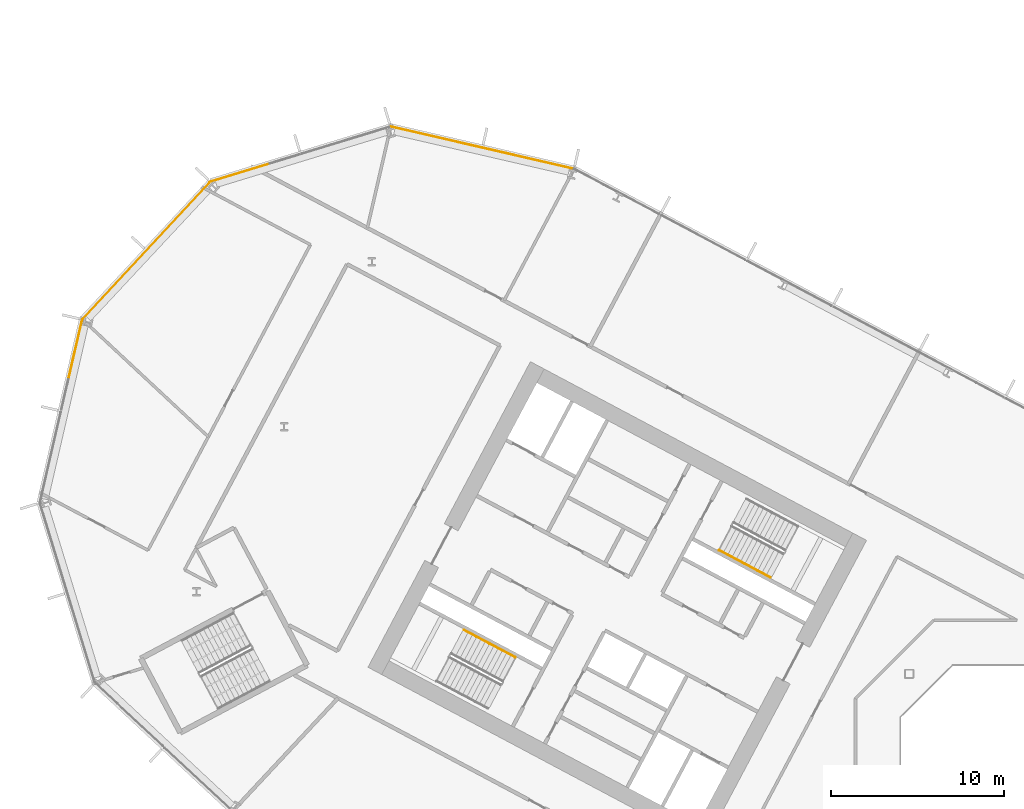
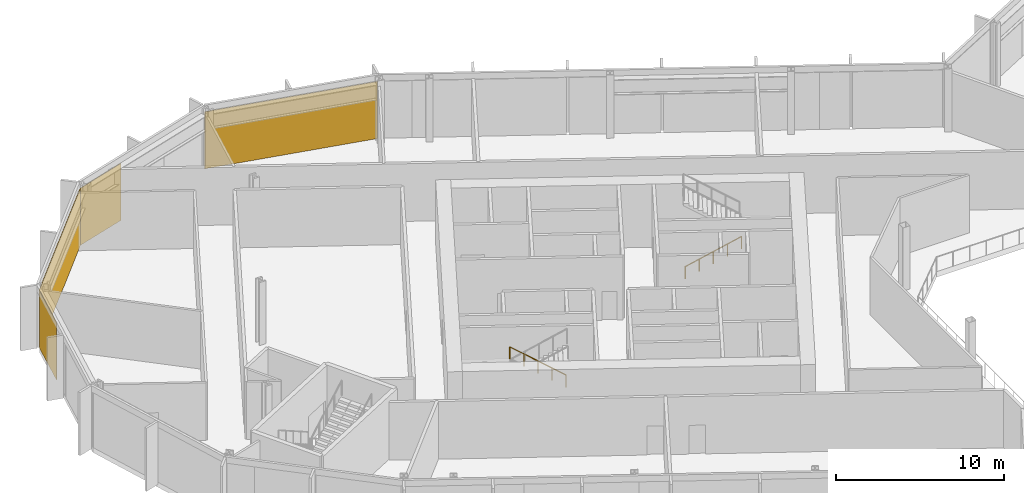
# One storey, part 24 of 32: 4 coverings, 2 railings, 4 elements without a shape of their own.
"""IFC4 building model written with IfcOpenShell, lengths in metres."""

from ifc_helpers import new_model, si_unit, direction, frame, origin, origin_2d, place, context, subcontext, project, spatial, polyline, rectangle, outline, extrude, material, layer, layer_set, type_object, element, aggregate, save


model = new_model("IFC4")

# Units and contexts
model_context = context("Model", 3, precision=1e-05, world=origin(), true_north=direction((0.0, 1.0)))
body_context = subcontext(model_context, "Body", "Model", "MODEL_VIEW")
ifc_project = project(units=[si_unit("LENGTHUNIT", "METRE"), si_unit("AREAUNIT", "SQUARE_METRE"), si_unit("VOLUMEUNIT", "CUBIC_METRE"), si_unit("PLANEANGLEUNIT", "RADIAN"), si_unit("MASSUNIT", "GRAM", prefix="KILO")], contexts=[model_context])

# Site, building, storey
site_placement = place(None, origin())
site = spatial("IfcSite", under=ifc_project, at=site_placement, CompositionType="ELEMENT")
building_placement = place(site_placement, origin())
building = spatial("IfcBuilding", under=site, at=building_placement, Name="Cormorant Relay Tower", CompositionType="ELEMENT")
storey_placement = place(building_placement, frame((0.0, 0.0, 70.800048828125)))
storey = spatial("IfcBuildingStorey", under=building, at=storey_placement, Name="L13", CompositionType="ELEMENT", Elevation=70.800048828125)

# Curtain wall, covering
ifc_material_1 = material(Name="Aluminium 6063-T6 anodised bronze", Category="aluminium")
ifc_layer_1 = layer(ifc_material_1, 0.199951171875)
ifc_layer_set_1 = layer_set([ifc_layer_1], Name="CW1 unitised bronze curtain wall with vertical fins")
curtain_wall_type = type_object("IfcCurtainWallType", Name="CW1 unitised bronze curtain wall with vertical fins", PredefinedType="NOTDEFINED", material=ifc_layer_set_1)
curtain_wall_1_placement = place(storey_placement, origin())
curtain_wall_1 = element("IfcCurtainWall", 1, at=curtain_wall_1_placement, inside=storey, type_object=curtain_wall_type, Name="CW1 curtain wall 8", PredefinedType="NOTDEFINED")
ifc_material_2 = material(Name="Pale bronze anodised aluminium insulated panel", Category="aluminium")
ifc_layer_2 = layer(ifc_material_2, 0.0400390625)
ifc_layer_set_2 = layer_set([ifc_layer_2], Name="CW1 pale bronze insulated panel 40")
covering_type = type_object("IfcCoveringType", Name="CW1 pale bronze insulated panel 40", PredefinedType="CLADDING", material=ifc_layer_set_2)
covering_1_placement = place(storey_placement, frame((-35.20166015625, 40.918701171875, 0.0), z_axis=(0.0, 0.0, 1.0), x_axis=(-0.974370064785, 0.224951054344, 0.0)))
covering_1 = element("IfcCovering", 2, at=covering_1_placement, type_object=covering_type, Name="CW1 panel S00", PredefinedType="CLADDING", context=body_context, shape_type="SweptSolid", body=[
    extrude(rectangle(XDim=10.79541015625, YDim=0.0400390625, at=origin_2d()), origin(), (0.0, 0.0, 1.0), 4.14990234375),
])
aggregate(curtain_wall_1, [covering_1])

curtain_wall_2_placement = place(storey_placement, origin())
curtain_wall_2 = element("IfcCurtainWall", 3, at=curtain_wall_2_placement, inside=storey, type_object=curtain_wall_type, Name="CW1 curtain wall 9", PredefinedType="NOTDEFINED")
covering_2_placement = place(storey_placement, frame((-49.16455078125, 39.474853515625, 0.0), z_axis=(0.0, 0.0, 1.0), x_axis=(-0.956304755963, -0.292371704723, 0.0)))
covering_2 = element("IfcCovering", 4, at=covering_2_placement, type_object=covering_type, Name="CW1 panel S03", PredefinedType="CLADDING", context=body_context, shape_type="SweptSolid", body=[
    extrude(rectangle(XDim=3.560302734375, YDim=0.0400390625, at=origin_2d()), origin(), (0.0, 0.0, 1.0), 4.14990234375),
])
aggregate(curtain_wall_2, [covering_2])

curtain_wall_3_placement = place(storey_placement, origin())
curtain_wall_3 = element("IfcCurtainWall", 5, at=curtain_wall_3_placement, inside=storey, type_object=curtain_wall_type, Name="CW1 curtain wall 10", PredefinedType="NOTDEFINED")
covering_3_placement = place(storey_placement, frame((-54.60791015625, 34.9462890625, 0.0), z_axis=(0.0, 0.0, 1.0), x_axis=(-0.681998360062, -0.731353701619, 0.0)))
covering_3 = element("IfcCovering", 6, at=covering_3_placement, type_object=covering_type, Name="CW1 panel S00", PredefinedType="CLADDING", context=body_context, shape_type="SweptSolid", body=[
    extrude(rectangle(XDim=10.79541015625, YDim=0.0400390625, at=origin_2d()), origin(), (0.0, 0.0, 1.0), 4.14990234375),
])
aggregate(curtain_wall_3, [covering_3])

curtain_wall_4_placement = place(storey_placement, origin())
curtain_wall_4 = element("IfcCurtainWall", 7, at=curtain_wall_4_placement, inside=storey, type_object=curtain_wall_type, Name="CW1 curtain wall 11", PredefinedType="NOTDEFINED")
covering_4_placement = place(storey_placement, frame((-58.702880859375, 29.218505859375, 0.0), z_axis=(0.0, 0.0, 1.0), x_axis=(-0.224951054344, -0.974370064785, 0.0)))
covering_4 = element("IfcCovering", 8, at=covering_4_placement, type_object=covering_type, Name="CW1 panel S00", PredefinedType="CLADDING", context=body_context, shape_type="SweptSolid", body=[
    extrude(rectangle(XDim=3.485107421875, YDim=0.0400390625, at=origin_2d()), origin(), (0.0, 0.0, 1.0), 4.14990234375),
])
aggregate(curtain_wall_4, [covering_4])

# Railings
ifc_material_3 = material(Name="Steel ASTM A572 Grade 50 (Fy 345 MPa)", Category="steel")
railing_type = type_object("IfcRailingType", Name="Stair handrail 900", PredefinedType="HANDRAIL", material=ifc_material_3)
railing_1_placement = place(storey_placement, frame((-21.478271484375, 17.6494140625, 0.1767578125)))
element("IfcRailing", 9, at=railing_1_placement, inside=storey, type_object=railing_type, Name="L13 A1 stair handrail 1", PredefinedType="HANDRAIL", context=body_context, shape_type="SweptSolid", body=[
    extrude(outline(polyline([(0.022216796875, 0.00927734375), (0.00927734375, 0.022216796875), (-0.00927734375, 0.022216796875), (-0.022216796875, 0.00927734375), (-0.022216796875, -0.00927734375), (-0.00927734375, -0.022216796875), (0.00927734375, -0.022216796875), (0.022216796875, -0.00927734375), (0.022216796875, 0.00927734375)])), frame((0.0, 0.0, 0.8759765625), z_axis=(0.74639798139, -0.396907814001, 0.534185586253), x_axis=(0.469509342547, 0.882927503967, 0.0)), (0.0, 0.0, 1.0), 3.974853515625),
    extrude(outline(polyline([(0.019287109375, 0.008056640625), (0.008056640625, 0.019287109375), (-0.008056640625, 0.019287109375), (-0.019287109375, 0.008056640625), (-0.019287109375, -0.008056640625), (-0.008056640625, -0.019287109375), (0.008056640625, -0.019287109375), (0.019287109375, -0.008056640625), (0.019287109375, 0.008056640625)])), origin(), (0.0, 0.0, 1.0), 0.851806640625),
    extrude(outline(polyline([(0.019287109375, 0.008056640625), (0.008056640625, 0.019287109375), (-0.008056640625, 0.019287109375), (-0.019287109375, 0.008056640625), (-0.019287109375, -0.008056640625), (-0.008056640625, -0.019287109375), (0.008056640625, -0.019287109375), (0.019287109375, -0.008056640625), (0.019287109375, 0.008056640625)])), frame((0.74169921875, -0.39453125, 0.53076171875)), (0.0, 0.0, 1.0), 0.851806640625),
    extrude(outline(polyline([(0.019287109375, 0.008056640625), (0.008056640625, 0.019287109375), (-0.008056640625, 0.019287109375), (-0.019287109375, 0.008056640625), (-0.019287109375, -0.008056640625), (-0.008056640625, -0.019287109375), (0.008056640625, -0.019287109375), (0.019287109375, -0.008056640625), (0.019287109375, 0.008056640625)])), frame((1.4833984375, -0.788818359375, 1.0615234375)), (0.0, 0.0, 1.0), 0.851806640625),
    extrude(outline(polyline([(0.019287109375, 0.008056640625), (0.008056640625, 0.019287109375), (-0.008056640625, 0.019287109375), (-0.019287109375, 0.008056640625), (-0.019287109375, -0.008056640625), (-0.008056640625, -0.019287109375), (0.008056640625, -0.019287109375), (0.019287109375, -0.008056640625), (0.019287109375, 0.008056640625)])), frame((2.22509765625, -1.18310546875, 1.592529296875)), (0.0, 0.0, 1.0), 0.851806640625),
    extrude(outline(polyline([(0.019287109375, 0.008056640625), (0.008056640625, 0.019287109375), (-0.008056640625, 0.019287109375), (-0.019287109375, 0.008056640625), (-0.019287109375, -0.008056640625), (-0.008056640625, -0.019287109375), (0.008056640625, -0.019287109375), (0.019287109375, -0.008056640625), (0.019287109375, 0.008056640625)])), frame((2.966796875, -1.57763671875, 2.123291015625)), (0.0, 0.0, 1.0), 0.851806640625),
])
railing_2_placement = place(storey_placement, frame((-33.264404296875, 11.4580078125, 0.1767578125)))
element("IfcRailing", 10, at=railing_2_placement, inside=storey, type_object=railing_type, Name="L13 A2 stair handrail 1", PredefinedType="HANDRAIL", context=body_context, shape_type="SweptSolid", body=[
    extrude(outline(polyline([(0.022216796875, 0.00927734375), (0.00927734375, 0.022216796875), (-0.00927734375, 0.022216796875), (-0.022216796875, 0.00927734375), (-0.022216796875, -0.00927734375), (-0.00927734375, -0.022216796875), (0.00927734375, -0.022216796875), (0.022216796875, -0.00927734375), (0.022216796875, 0.00927734375)])), frame((0.0, 0.0, 0.8759765625), z_axis=(-0.746416176936, 0.396856066424, 0.534198608526), x_axis=(-0.46945269911, -0.882957622595, 0.0)), (0.0, 0.0, 1.0), 3.974609375),
    extrude(outline(polyline([(0.019287109375, 0.008056640625), (0.008056640625, 0.019287109375), (-0.008056640625, 0.019287109375), (-0.019287109375, 0.008056640625), (-0.019287109375, -0.008056640625), (-0.008056640625, -0.019287109375), (0.008056640625, -0.019287109375), (0.019287109375, -0.008056640625), (0.019287109375, 0.008056640625)])), origin(), (0.0, 0.0, 1.0), 0.851806640625),
    extrude(outline(polyline([(0.019287109375, 0.008056640625), (0.008056640625, 0.019287109375), (-0.008056640625, 0.019287109375), (-0.019287109375, 0.008056640625), (-0.019287109375, -0.008056640625), (-0.008056640625, -0.019287109375), (0.008056640625, -0.019287109375), (0.019287109375, -0.008056640625), (0.019287109375, 0.008056640625)])), frame((-0.74169921875, 0.394287109375, 0.53076171875)), (0.0, 0.0, 1.0), 0.851806640625),
    extrude(outline(polyline([(0.019287109375, 0.008056640625), (0.008056640625, 0.019287109375), (-0.008056640625, 0.019287109375), (-0.019287109375, 0.008056640625), (-0.019287109375, -0.008056640625), (-0.008056640625, -0.019287109375), (0.008056640625, -0.019287109375), (0.019287109375, -0.008056640625), (0.019287109375, 0.008056640625)])), frame((-1.4833984375, 0.78857421875, 1.0615234375)), (0.0, 0.0, 1.0), 0.851806640625),
    extrude(outline(polyline([(0.019287109375, 0.008056640625), (0.008056640625, 0.019287109375), (-0.008056640625, 0.019287109375), (-0.019287109375, 0.008056640625), (-0.019287109375, -0.008056640625), (-0.008056640625, -0.019287109375), (0.008056640625, -0.019287109375), (0.019287109375, -0.008056640625), (0.019287109375, 0.008056640625)])), frame((-2.22509765625, 1.18310546875, 1.592529296875)), (0.0, 0.0, 1.0), 0.851806640625),
    extrude(outline(polyline([(0.019287109375, 0.008056640625), (0.008056640625, 0.019287109375), (-0.008056640625, 0.019287109375), (-0.019287109375, 0.008056640625), (-0.019287109375, -0.008056640625), (-0.008056640625, -0.019287109375), (0.008056640625, -0.019287109375), (0.019287109375, -0.008056640625), (0.019287109375, 0.008056640625)])), frame((-2.966796875, 1.577392578125, 2.123291015625)), (0.0, 0.0, 1.0), 0.851806640625),
])

save(model, "model.ifc")
